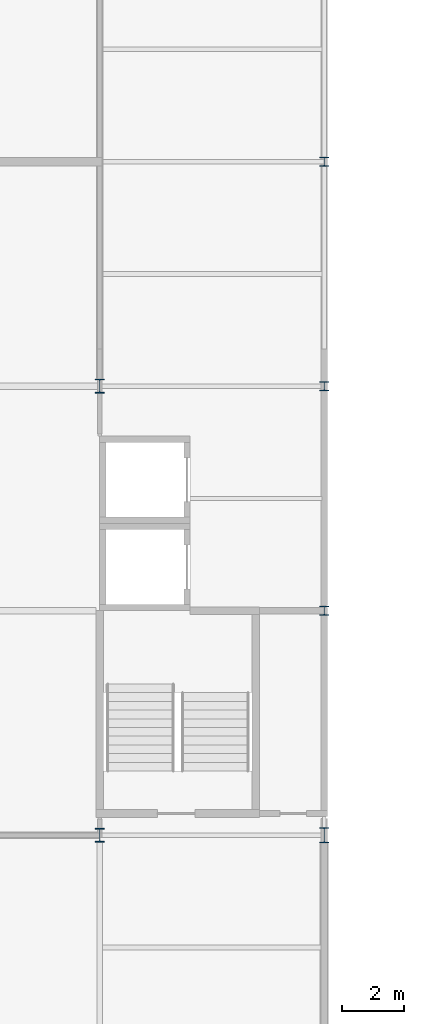
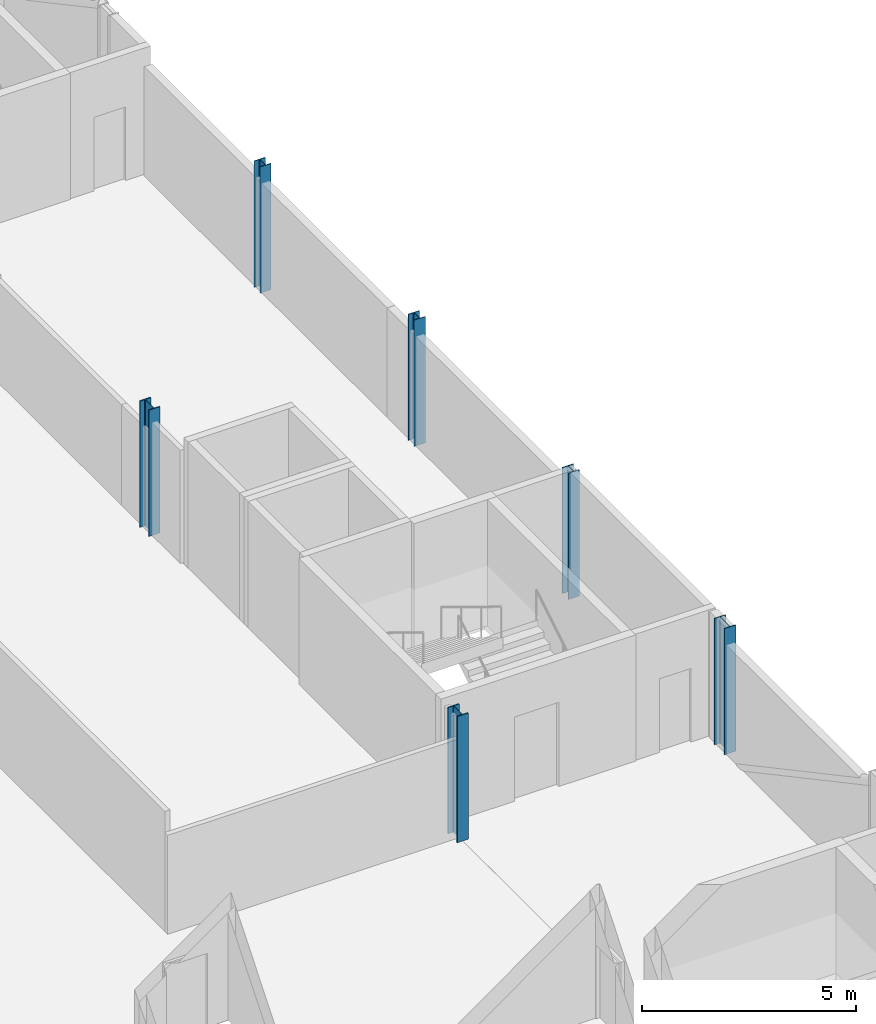
# One storey, part 7 of 124: 6 columns.
"""IFC4 building model written with IfcOpenShell, lengths in metres."""

import ifcopenshell
import ifcopenshell.guid

model = None  # the IFC model being written
_history = None  # IfcOwnerHistory: only IFC2X3 demands one
_inside = {}  # id of a spatial element -> (the spatial element, [elements in it])
_under = {}  # id of a project, library or spatial element -> (it, [spatial elements below it])
_declared = {}  # id of a project -> (the project, [libraries it declares])
_typed = {}  # id of a type object -> (the type object, [elements of that type])
_made_of = {}  # id of a material, layer set ... -> (it, [elements and type objects made of it])


def new_model(schema):
    """Start an empty IFC model of exactly this schema.

    Asked for "IFC4X3", IfcOpenShell would pick the latest addendum, in which some entities
    have other attributes; the version numbers below select the first issue.
    IFC2X3 requires an IfcOwnerHistory on every rooted entity: one is made here for all.
    """
    global model, _history
    if schema == "IFC4X3":
        model = ifcopenshell.file(schema_version=(4, 3, 0, 0))
    else:
        model = ifcopenshell.file(schema=schema)
    _inside.clear()
    _under.clear()
    _declared.clear()
    _typed.clear()
    _made_of.clear()
    _history = None
    if model.schema == "IFC2X3":
        org = make("IfcOrganization", Name="unknown")
        user = make(
            "IfcPersonAndOrganization",
            ThePerson=make("IfcPerson", FamilyName="unknown"),
            TheOrganization=org,
        )
        app = make(
            "IfcApplication",
            ApplicationDeveloper=org,
            Version="unknown",
            ApplicationFullName="unknown",
            ApplicationIdentifier="unknown",
        )
        _history = make(
            "IfcOwnerHistory",
            OwningUser=user,
            OwningApplication=app,
            ChangeAction="ADDED",
            CreationDate=0,
        )
    return model


def make(cls, **values):
    """One entity of the class cls with the attributes given. An attribute that is None is left unset."""
    return model.create_entity(
        cls, **{name: value for name, value in values.items() if value is not None}
    )


def rooted(cls, **values):
    """An entity with a GlobalId (a new one), such as an element, a storey or a relation."""
    return make(cls, GlobalId=ifcopenshell.guid.new(), OwnerHistory=_history, **values)


def si_unit(unit_type, name, prefix=None):
    """IfcSIUnit, for example si_unit("LENGTHUNIT", "METRE", prefix="MILLI")."""
    return make("IfcSIUnit", UnitType=unit_type, Prefix=prefix, Name=name)


def assignment(units):
    """IfcUnitAssignment: the units of a project."""
    return None if units is None else make("IfcUnitAssignment", Units=units)


def point(xyz):
    """IfcCartesianPoint."""
    return None if xyz is None else make("IfcCartesianPoint", Coordinates=xyz)


def direction(xyz):
    """IfcDirection."""
    return None if xyz is None else make("IfcDirection", DirectionRatios=xyz)


def frame(location, z_axis=None, x_axis=None):
    """IfcAxis2Placement3D, a coordinate frame: its origin and axes. An axis left out is left unset."""
    return make(
        "IfcAxis2Placement3D",
        Location=point(location),
        Axis=direction(z_axis),
        RefDirection=direction(x_axis),
    )


def frame_2d(location, x_axis=None):
    """IfcAxis2Placement2D, a coordinate frame in the plane: its origin and x axis."""
    return make(
        "IfcAxis2Placement2D", Location=point(location), RefDirection=direction(x_axis)
    )


def origin():
    """The frame at (0, 0, 0) with its axes left unset."""
    return frame((0.0, 0.0, 0.0))


def origin_2d():
    """The frame at (0, 0) in the plane with its x axis left unset."""
    return frame_2d((0.0, 0.0))


def place(relative_to, where):
    """IfcLocalPlacement: puts the frame where relative to a parent placement (None: the world)."""
    return make(
        "IfcLocalPlacement", PlacementRelTo=relative_to, RelativePlacement=where
    )


def context(
    kind, dimensions, precision=None, world=None, true_north=None, identifier=None
):
    """IfcGeometricRepresentationContext, for example the 3D "Model" context."""
    return make(
        "IfcGeometricRepresentationContext",
        ContextIdentifier=identifier,
        ContextType=kind,
        CoordinateSpaceDimension=dimensions,
        Precision=precision,
        WorldCoordinateSystem=world,
        TrueNorth=true_north,
    )


def subcontext(parent, identifier, kind, view, scale=None):
    """IfcGeometricRepresentationSubContext, for example "Body" below "Model"."""
    return make(
        "IfcGeometricRepresentationSubContext",
        ContextIdentifier=identifier,
        ContextType=kind,
        ParentContext=parent,
        TargetScale=scale,
        TargetView=view,
    )


def project(units=None, contexts=None):
    """IfcProject with its units and contexts."""
    return rooted(
        "IfcProject",
        Name="project",
        RepresentationContexts=contexts,
        UnitsInContext=assignment(units),
    )


def spatial(cls, under=None, at=None, **own):
    """A site, building, storey or space (cls), placed at a placement, below another one or the project."""
    s = rooted(cls, ObjectPlacement=at, **own)
    if under is not None:
        _under.setdefault(under.id(), (under, []))[1].append(s)
    return s


def profile(cls, at=None, kind="AREA", **sizes):
    """A parametric profile (cls). Its sizes go by their IFC names, for example OverallWidth=200.0."""
    return make(cls, ProfileType=kind, Position=at, **sizes)


def i_section(**sizes):
    """IfcIShapeProfileDef."""
    return profile("IfcIShapeProfileDef", **sizes)


def extrude(swept, where, along, depth):
    """IfcExtrudedAreaSolid: the profile swept, set in the frame where, extruded along a direction by depth."""
    return make(
        "IfcExtrudedAreaSolid",
        SweptArea=swept,
        Position=where,
        ExtrudedDirection=direction(along),
        Depth=depth,
    )


def shape(context_of_items, identifier, shape_type, items):
    """IfcShapeRepresentation: the items that make up one representation, for example the "Body"."""
    return make(
        "IfcShapeRepresentation",
        ContextOfItems=context_of_items,
        RepresentationIdentifier=identifier,
        RepresentationType=shape_type,
        Items=items,
    )


def material(Name=None, Category=None):
    """IfcMaterial."""
    return make("IfcMaterial", Name=Name, Category=Category)


def material_profile(
    of_material, cross_section, Name=None, Category=None, Priority=None
):
    """IfcMaterialProfile: a cross section and its material."""
    return make(
        "IfcMaterialProfile",
        Name=Name,
        Material=of_material,
        Profile=cross_section,
        Priority=Priority,
        Category=Category,
    )


def profile_set(profiles, Name=None, composite=None):
    """IfcMaterialProfileSet."""
    return make(
        "IfcMaterialProfileSet",
        Name=Name,
        MaterialProfiles=profiles,
        CompositeProfile=composite,
    )


def made_of(thing, what):
    """Note that an element or type object is made of a material, layer set ...; save() writes the relation."""
    if what is not None:
        _made_of.setdefault(what.id(), (what, []))[1].append(thing)
    return thing


def type_object(cls, material=None, **own):
    """A type object (cls), such as IfcWallType, which elements share."""
    return made_of(rooted(cls, **own), material)


def element(
    cls,
    number,
    at=None,
    inside=None,
    cuts=None,
    type_object=None,
    material=None,
    context=None,
    identifier="Body",
    shape_type=None,
    held_by="IfcProductDefinitionShape",
    body=None,
    shapes=None,
    **own,
):
    """One element of the class cls, such as IfcWall. Its Tag is "e" and its number.

    at: its placement. inside: the storey or other place that contains it. cuts: it is an
    opening in that element (IfcRelVoidsElement). A single representation is given by context,
    identifier, shape_type and body (its items); several are given by shapes. held_by: the class
    of the entity that holds the representations. save() writes the other relations.
    """
    e = rooted(cls, Tag="e%d" % number, ObjectPlacement=at, **own)
    if body is not None:
        shapes = [shape(context, identifier, shape_type, body)]
    if shapes is not None:
        e.Representation = make(held_by, Representations=shapes)
    if inside is not None:
        _inside.setdefault(inside.id(), (inside, []))[1].append(e)
    if cuts is not None:
        rooted(
            "IfcRelVoidsElement", RelatingBuildingElement=cuts, RelatedOpeningElement=e
        )
    if type_object is not None:
        _typed.setdefault(type_object.id(), (type_object, []))[1].append(e)
    return made_of(e, material)


def aggregate(whole, parts):
    """IfcRelAggregates: a whole, such as a stair, and the parts it consists of."""
    return rooted("IfcRelAggregates", RelatingObject=whole, RelatedObjects=parts)


def save(model, path):
    """Write the relations noted so far, then the file.

    IfcRelAggregates (storeys below a building ...), IfcRelContainedInSpatialStructure (elements
    in a storey), IfcRelDefinesByType, IfcRelAssociatesMaterial and IfcRelDeclares: one each for
    every whole, place, type object, material and project.
    """
    for whole, parts in _under.values():
        aggregate(whole, parts)
    for where, things in _inside.values():
        rooted(
            "IfcRelContainedInSpatialStructure",
            RelatedElements=things,
            RelatingStructure=where,
        )
    for kind, things in _typed.values():
        rooted("IfcRelDefinesByType", RelatedObjects=things, RelatingType=kind)
    for what, things in _made_of.values():
        rooted("IfcRelAssociatesMaterial", RelatedObjects=things, RelatingMaterial=what)
    for by, libraries in _declared.values():
        rooted("IfcRelDeclares", RelatingContext=by, RelatedDefinitions=libraries)
    model.write(path)


model = new_model("IFC4")

# Units and contexts
model_context = context("Model", 3, precision=1e-05, world=origin(), true_north=direction((0.0, 1.0)))
body_context = subcontext(model_context, "Body", "Model", "MODEL_VIEW")
ifc_project = project(units=[si_unit("LENGTHUNIT", "METRE"), si_unit("AREAUNIT", "SQUARE_METRE"), si_unit("VOLUMEUNIT", "CUBIC_METRE"), si_unit("PLANEANGLEUNIT", "RADIAN"), si_unit("MASSUNIT", "GRAM", prefix="KILO")], contexts=[model_context])

# Site, building, storey
site_placement = place(None, origin())
site = spatial("IfcSite", under=ifc_project, at=site_placement, CompositionType="ELEMENT")
building_placement = place(site_placement, origin())
building = spatial("IfcBuilding", under=site, at=building_placement, Name="Kupolbacken Congress Centre", CompositionType="ELEMENT")
storey_placement = place(building_placement, frame((0.0, 0.0, 10.800048828125)))
storey = spatial("IfcBuildingStorey", under=building, at=storey_placement, Name="L03", CompositionType="ELEMENT", Elevation=10.800048828125)

# Columns
ifc_material_1 = material(Name="Steel S355", Category="steel")
ifc_material_profile_1 = material_profile(ifc_material_1, i_section(OverallWidth=0.300048828125, OverallDepth=0.449951171875, WebThickness=0.013916015625, FlangeThickness=0.02587890625, FilletRadius=0.027099609375, at=origin_2d()), Name="HEB 450")
ifc_profile_set_1 = profile_set([ifc_material_profile_1], Name="Steel S355")
column_type_1 = type_object("IfcColumnType", Name="C03 column HEB 450", PredefinedType="COLUMN", material=ifc_profile_set_1)
for number, where, z_axis, x_axis, name in (
    (1, (79.199951171875, 64.800048828125, 0.0), (0.0, 0.0, 1.0), (1.0, 0.0, 0.0), "S/col/C-P-12K/L03"),
    (2, (79.199951171875, 79.199951171875, 0.0), (0.0, 0.0, 1.0), (1.0, 0.0, 0.0), "S/col/C-P-12M/L03"),
):
    element("IfcColumn", number, at=place(storey_placement, frame(where, z_axis=z_axis, x_axis=x_axis)), inside=storey, type_object=column_type_1, Name=name, PredefinedType="COLUMN", context=body_context, shape_type="SweptSolid", body=[
        extrude(i_section(OverallWidth=0.300048828125, OverallDepth=0.449951171875, WebThickness=0.013916015625, FlangeThickness=0.02587890625, FilletRadius=0.027099609375, at=origin_2d()), origin(), (0.0, 0.0, 1.0), 3.599853515625),
    ])
ifc_material_2 = material(Name="Steel S355", Category="steel")
ifc_material_profile_2 = material_profile(ifc_material_2, i_section(OverallWidth=0.300048828125, OverallDepth=0.2900390625, WebThickness=0.008544921875, FlangeThickness=0.013916015625, FilletRadius=0.027099609375, at=origin_2d()), Name="HEA 300")
ifc_profile_set_2 = profile_set([ifc_material_profile_2], Name="Steel S355")
column_type_2 = type_object("IfcColumnType", Name="C09 column HEA 300", PredefinedType="COLUMN", material=ifc_profile_set_2)
for number, where, z_axis, x_axis, name in (
    (3, (86.39990234375, 72.0, 0.0), (0.0, 0.0, 1.0), (1.0, 0.0, 0.0), "S/col/C-H-PW05/L03"),
    (4, (86.39990234375, 79.199951171875, 0.0), (0.0, 0.0, 1.0), (1.0, 0.0, 0.0), "S/col/C-H-PW06/L03"),
    (5, (86.39990234375, 86.39990234375, 0.0), (0.0, 0.0, 1.0), (1.0, 0.0, 0.0), "S/col/C-H-PW07/L03"),
):
    element("IfcColumn", number, at=place(storey_placement, frame(where, z_axis=z_axis, x_axis=x_axis)), inside=storey, type_object=column_type_2, Name=name, PredefinedType="COLUMN", context=body_context, shape_type="SweptSolid", body=[
        extrude(i_section(OverallWidth=0.300048828125, OverallDepth=0.2900390625, WebThickness=0.008544921875, FlangeThickness=0.013916015625, FilletRadius=0.027099609375, at=origin_2d()), origin(), (0.0, 0.0, 1.0), 3.599853515625),
    ])
ifc_material_3 = material(Name="Steel S355", Category="steel")
ifc_material_profile_3 = material_profile(ifc_material_3, i_section(OverallWidth=0.300048828125, OverallDepth=0.489990234375, WebThickness=0.011962890625, FlangeThickness=0.02294921875, FilletRadius=0.027099609375, at=origin_2d()), Name="HEA 500")
ifc_profile_set_3 = profile_set([ifc_material_profile_3], Name="Steel S355")
column_type_3 = type_object("IfcColumnType", Name="C14 column HEA 500", PredefinedType="COLUMN", material=ifc_profile_set_3)
column_placement = place(storey_placement, frame((86.39990234375, 64.800048828125, 0.0), z_axis=(0.0, 0.0, 1.0), x_axis=(1.0, 0.0, 0.0)))
element("IfcColumn", 6, at=column_placement, inside=storey, type_object=column_type_3, Name="S/col/C-H-PW04/L03", PredefinedType="COLUMN", context=body_context, shape_type="SweptSolid", body=[
    extrude(i_section(OverallWidth=0.300048828125, OverallDepth=0.489990234375, WebThickness=0.011962890625, FlangeThickness=0.02294921875, FilletRadius=0.027099609375, at=origin_2d()), origin(), (0.0, 0.0, 1.0), 3.599853515625),
])

save(model, "model.ifc")
